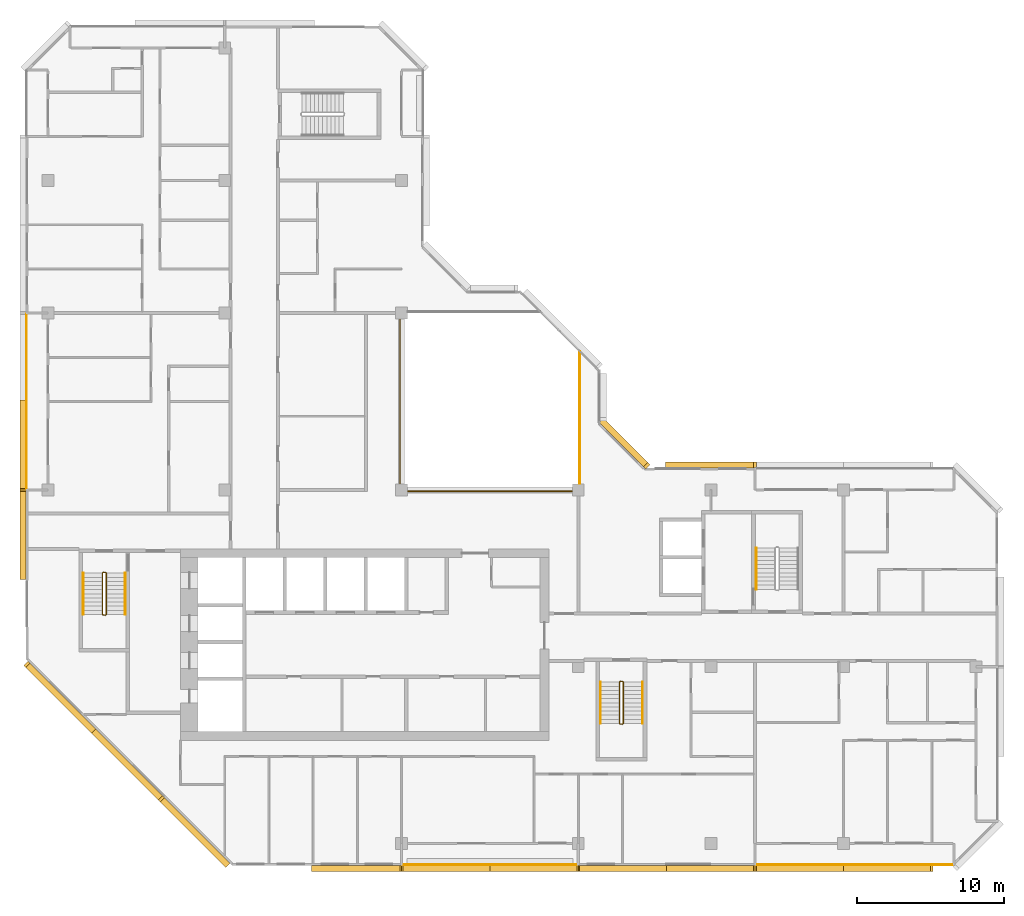
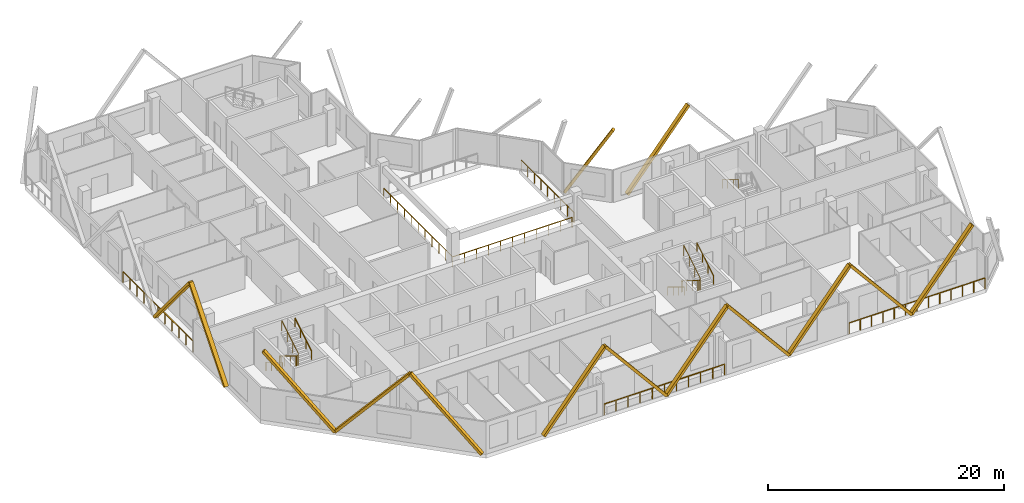
# One storey, part 12 of 13: 14 coverings, 12 railings.
"""IFC4 building model written with IfcOpenShell, lengths in metres."""

from ifc_helpers import new_model, si_unit, direction, frame, origin, origin_2d, place, context, subcontext, project, spatial, rectangle, extrude, material, material_profile, profile_set, type_object, element, save


model = new_model("IFC4")

# Units and contexts
model_context = context("Model", 3, precision=1e-05, world=origin(), true_north=direction((0.0, 1.0)))
body_context = subcontext(model_context, "Body", "Model", "MODEL_VIEW")
ifc_project = project(units=[si_unit("LENGTHUNIT", "METRE"), si_unit("AREAUNIT", "SQUARE_METRE"), si_unit("VOLUMEUNIT", "CUBIC_METRE"), si_unit("PLANEANGLEUNIT", "RADIAN"), si_unit("MASSUNIT", "GRAM", prefix="KILO")], contexts=[model_context])

# Site, building, storey
site_placement = place(None, origin())
site = spatial("IfcSite", under=ifc_project, at=site_placement, CompositionType="ELEMENT")
building_placement = place(site_placement, origin())
building = spatial("IfcBuilding", under=site, at=building_placement, Name="Chenar Terraces", CompositionType="ELEMENT")
storey_placement = place(building_placement, frame((0.0, 0.0, 273.39990234375)))
storey = spatial("IfcBuildingStorey", under=building, at=storey_placement, Name="L63", CompositionType="ELEMENT", Elevation=273.39990234375)

# Railings
ifc_material_1 = material(Name="Powder-coated steel", Category="steel")
railing_type_1 = type_object("IfcRailingType", Name="Guard 1100 steel rail with glass infill", PredefinedType="GUARDRAIL", material=ifc_material_1)
railing_1_placement = place(storey_placement, frame((23.89990234375, 35.60009765625, 0.0)))
element("IfcRailing", 1, at=railing_1_placement, inside=storey, type_object=railing_type_1, Name="Guard L63-1", PredefinedType="GUARDRAIL", context=body_context, shape_type="SweptSolid", body=[
    extrude(rectangle(XDim=0.06005859375, YDim=0.06005859375, at=origin_2d()), frame((0.0, 0.0, 1.070068359375), z_axis=(0.0, -1.0, 0.0), x_axis=(1.0, 0.0, 0.0)), (0.0, 0.0, 1.0), 11.7001953125),
    extrude(rectangle(XDim=0.06005859375, YDim=0.06005859375, at=origin_2d()), frame((0.0, -11.7001953125, 1.070068359375), z_axis=(1.0, 0.0, 0.0), x_axis=(0.0, 1.0, 0.0)), (0.0, 0.0, 1.0), 11.7001953125),
    extrude(rectangle(XDim=0.050048828125, YDim=0.050048828125, at=origin_2d()), origin(), (0.0, 0.0, 1.0), 1.0400390625),
    extrude(rectangle(XDim=0.050048828125, YDim=0.050048828125, at=origin_2d()), frame((0.0, -1.169921875, 0.0)), (0.0, 0.0, 1.0), 1.0400390625),
    extrude(rectangle(XDim=0.050048828125, YDim=0.050048828125, at=origin_2d()), frame((0.0, -2.340087890625, 0.0)), (0.0, 0.0, 1.0), 1.0400390625),
    extrude(rectangle(XDim=0.050048828125, YDim=0.050048828125, at=origin_2d()), frame((0.0, -3.510009765625, 0.0)), (0.0, 0.0, 1.0), 1.0400390625),
    extrude(rectangle(XDim=0.050048828125, YDim=0.050048828125, at=origin_2d()), frame((0.0, -4.68017578125, 0.0)), (0.0, 0.0, 1.0), 1.0400390625),
    extrude(rectangle(XDim=0.050048828125, YDim=0.050048828125, at=origin_2d()), frame((0.0, -5.85009765625, 0.0)), (0.0, 0.0, 1.0), 1.0400390625),
    extrude(rectangle(XDim=0.050048828125, YDim=0.050048828125, at=origin_2d()), frame((0.0, -7.02001953125, 0.0)), (0.0, 0.0, 1.0), 1.0400390625),
    extrude(rectangle(XDim=0.050048828125, YDim=0.050048828125, at=origin_2d()), frame((0.0, -8.190185546875, 0.0)), (0.0, 0.0, 1.0), 1.0400390625),
    extrude(rectangle(XDim=0.050048828125, YDim=0.050048828125, at=origin_2d()), frame((0.0, -9.360107421875, 0.0)), (0.0, 0.0, 1.0), 1.0400390625),
    extrude(rectangle(XDim=0.050048828125, YDim=0.050048828125, at=origin_2d()), frame((0.0, -10.5302734375, 0.0)), (0.0, 0.0, 1.0), 1.0400390625),
    extrude(rectangle(XDim=0.050048828125, YDim=0.050048828125, at=origin_2d()), frame((0.0, -11.7001953125, 0.0)), (0.0, 0.0, 1.0), 1.0400390625),
    extrude(rectangle(XDim=0.050048828125, YDim=0.050048828125, at=origin_2d()), frame((1.169921875, -11.7001953125, 0.0)), (0.0, 0.0, 1.0), 1.0400390625),
    extrude(rectangle(XDim=0.050048828125, YDim=0.050048828125, at=origin_2d()), frame((2.340087890625, -11.7001953125, 0.0)), (0.0, 0.0, 1.0), 1.0400390625),
    extrude(rectangle(XDim=0.050048828125, YDim=0.050048828125, at=origin_2d()), frame((3.510009765625, -11.7001953125, 0.0)), (0.0, 0.0, 1.0), 1.0400390625),
    extrude(rectangle(XDim=0.050048828125, YDim=0.050048828125, at=origin_2d()), frame((4.68017578125, -11.7001953125, 0.0)), (0.0, 0.0, 1.0), 1.0400390625),
    extrude(rectangle(XDim=0.050048828125, YDim=0.050048828125, at=origin_2d()), frame((5.85009765625, -11.7001953125, 0.0)), (0.0, 0.0, 1.0), 1.0400390625),
    extrude(rectangle(XDim=0.050048828125, YDim=0.050048828125, at=origin_2d()), frame((7.02001953125, -11.7001953125, 0.0)), (0.0, 0.0, 1.0), 1.0400390625),
    extrude(rectangle(XDim=0.050048828125, YDim=0.050048828125, at=origin_2d()), frame((8.190185546875, -11.7001953125, 0.0)), (0.0, 0.0, 1.0), 1.0400390625),
    extrude(rectangle(XDim=0.050048828125, YDim=0.050048828125, at=origin_2d()), frame((9.360107421875, -11.7001953125, 0.0)), (0.0, 0.0, 1.0), 1.0400390625),
    extrude(rectangle(XDim=0.050048828125, YDim=0.050048828125, at=origin_2d()), frame((10.5302734375, -11.7001953125, 0.0)), (0.0, 0.0, 1.0), 1.0400390625),
    extrude(rectangle(XDim=0.050048828125, YDim=0.050048828125, at=origin_2d()), frame((11.7001953125, -11.7001953125, 0.0)), (0.0, 0.0, 1.0), 1.0400390625),
])
railing_2_placement = place(storey_placement, frame((36.10009765625, 24.449951171875, 0.0)))
element("IfcRailing", 2, at=railing_2_placement, inside=storey, type_object=railing_type_1, Name="Guard L63-3", PredefinedType="GUARDRAIL", context=body_context, shape_type="SweptSolid", body=[
    extrude(rectangle(XDim=0.06005859375, YDim=0.06005859375, at=origin_2d()), frame((0.0, 0.0, 1.070068359375), z_axis=(0.0, 1.0, 0.0), x_axis=(-1.0, 0.0, 0.0)), (0.0, 0.0, 1.0), 8.949951171875),
    extrude(rectangle(XDim=0.050048828125, YDim=0.050048828125, at=origin_2d()), origin(), (0.0, 0.0, 1.0), 1.0400390625),
    extrude(rectangle(XDim=0.050048828125, YDim=0.050048828125, at=origin_2d()), frame((0.0, 1.11865234375, 0.0)), (0.0, 0.0, 1.0), 1.0400390625),
    extrude(rectangle(XDim=0.050048828125, YDim=0.050048828125, at=origin_2d()), frame((0.0, 2.237548828125, 0.0)), (0.0, 0.0, 1.0), 1.0400390625),
    extrude(rectangle(XDim=0.050048828125, YDim=0.050048828125, at=origin_2d()), frame((0.0, 3.356201171875, 0.0)), (0.0, 0.0, 1.0), 1.0400390625),
    extrude(rectangle(XDim=0.050048828125, YDim=0.050048828125, at=origin_2d()), frame((0.0, 4.47509765625, 0.0)), (0.0, 0.0, 1.0), 1.0400390625),
    extrude(rectangle(XDim=0.050048828125, YDim=0.050048828125, at=origin_2d()), frame((0.0, 5.59375, 0.0)), (0.0, 0.0, 1.0), 1.0400390625),
    extrude(rectangle(XDim=0.050048828125, YDim=0.050048828125, at=origin_2d()), frame((0.0, 6.71240234375, 0.0)), (0.0, 0.0, 1.0), 1.0400390625),
    extrude(rectangle(XDim=0.050048828125, YDim=0.050048828125, at=origin_2d()), frame((0.0, 7.831298828125, 0.0)), (0.0, 0.0, 1.0), 1.0400390625),
    extrude(rectangle(XDim=0.050048828125, YDim=0.050048828125, at=origin_2d()), frame((0.0, 8.949951171875, 0.0)), (0.0, 0.0, 1.0), 1.0400390625),
])
ifc_material_2 = material(Name="Stainless steel and glass", Category="steel")
railing_type_2 = type_object("IfcRailingType", Name="Loggia guard 1150", PredefinedType="GUARDRAIL", material=ifc_material_2)
railing_3_placement = place(storey_placement, frame((24.074951171875, -1.449951171875, 0.0)))
element("IfcRailing", 3, at=railing_3_placement, inside=storey, type_object=railing_type_2, Name="Loggia guard", PredefinedType="GUARDRAIL", context=body_context, shape_type="SweptSolid", body=[
    extrude(rectangle(XDim=0.048095703125, YDim=0.048095703125, at=origin_2d()), frame((0.0, 0.0, 1.1259765625), z_axis=(1.0, 0.0, 0.0), x_axis=(0.0, 1.0, 0.0)), (0.0, 0.0, 1.0), 11.85009765625),
    extrude(rectangle(XDim=0.0419921875, YDim=0.0419921875, at=origin_2d()), origin(), (0.0, 0.0, 1.0), 1.101806640625),
    extrude(rectangle(XDim=0.0419921875, YDim=0.0419921875, at=origin_2d()), frame((1.18505859375, 0.0, 0.0)), (0.0, 0.0, 1.0), 1.101806640625),
    extrude(rectangle(XDim=0.0419921875, YDim=0.0419921875, at=origin_2d()), frame((2.3701171875, 0.0, 0.0)), (0.0, 0.0, 1.0), 1.101806640625),
    extrude(rectangle(XDim=0.0419921875, YDim=0.0419921875, at=origin_2d()), frame((3.554931640625, 0.0, 0.0)), (0.0, 0.0, 1.0), 1.101806640625),
    extrude(rectangle(XDim=0.0419921875, YDim=0.0419921875, at=origin_2d()), frame((4.739990234375, 0.0, 0.0)), (0.0, 0.0, 1.0), 1.101806640625),
    extrude(rectangle(XDim=0.0419921875, YDim=0.0419921875, at=origin_2d()), frame((5.925048828125, 0.0, 0.0)), (0.0, 0.0, 1.0), 1.101806640625),
    extrude(rectangle(XDim=0.0419921875, YDim=0.0419921875, at=origin_2d()), frame((7.110107421875, 0.0, 0.0)), (0.0, 0.0, 1.0), 1.101806640625),
    extrude(rectangle(XDim=0.0419921875, YDim=0.0419921875, at=origin_2d()), frame((8.295166015625, 0.0, 0.0)), (0.0, 0.0, 1.0), 1.101806640625),
    extrude(rectangle(XDim=0.0419921875, YDim=0.0419921875, at=origin_2d()), frame((9.47998046875, 0.0, 0.0)), (0.0, 0.0, 1.0), 1.101806640625),
    extrude(rectangle(XDim=0.0419921875, YDim=0.0419921875, at=origin_2d()), frame((10.6650390625, 0.0, 0.0)), (0.0, 0.0, 1.0), 1.101806640625),
    extrude(rectangle(XDim=0.0419921875, YDim=0.0419921875, at=origin_2d()), frame((11.85009765625, 0.0, 0.0)), (0.0, 0.0, 1.0), 1.101806640625),
])
railing_4_placement = place(storey_placement, frame((48.074951171875, -1.449951171875, 0.0)))
element("IfcRailing", 4, at=railing_4_placement, inside=storey, type_object=railing_type_2, Name="Loggia guard", PredefinedType="GUARDRAIL", context=body_context, shape_type="SweptSolid", body=[
    extrude(rectangle(XDim=0.048095703125, YDim=0.048095703125, at=origin_2d()), frame((0.0, 0.0, 1.1259765625), z_axis=(1.0, 0.0, 0.0), x_axis=(0.0, 1.0, 0.0)), (0.0, 0.0, 1.0), 13.35009765625),
    extrude(rectangle(XDim=0.0419921875, YDim=0.0419921875, at=origin_2d()), origin(), (0.0, 0.0, 1.0), 1.101806640625),
    extrude(rectangle(XDim=0.0419921875, YDim=0.0419921875, at=origin_2d()), frame((1.112548828125, 0.0, 0.0)), (0.0, 0.0, 1.0), 1.101806640625),
    extrude(rectangle(XDim=0.0419921875, YDim=0.0419921875, at=origin_2d()), frame((2.22509765625, 0.0, 0.0)), (0.0, 0.0, 1.0), 1.101806640625),
    extrude(rectangle(XDim=0.0419921875, YDim=0.0419921875, at=origin_2d()), frame((3.33740234375, 0.0, 0.0)), (0.0, 0.0, 1.0), 1.101806640625),
    extrude(rectangle(XDim=0.0419921875, YDim=0.0419921875, at=origin_2d()), frame((4.449951171875, 0.0, 0.0)), (0.0, 0.0, 1.0), 1.101806640625),
    extrude(rectangle(XDim=0.0419921875, YDim=0.0419921875, at=origin_2d()), frame((5.5625, 0.0, 0.0)), (0.0, 0.0, 1.0), 1.101806640625),
    extrude(rectangle(XDim=0.0419921875, YDim=0.0419921875, at=origin_2d()), frame((6.675048828125, 0.0, 0.0)), (0.0, 0.0, 1.0), 1.101806640625),
    extrude(rectangle(XDim=0.0419921875, YDim=0.0419921875, at=origin_2d()), frame((7.78759765625, 0.0, 0.0)), (0.0, 0.0, 1.0), 1.101806640625),
    extrude(rectangle(XDim=0.0419921875, YDim=0.0419921875, at=origin_2d()), frame((8.900146484375, 0.0, 0.0)), (0.0, 0.0, 1.0), 1.101806640625),
    extrude(rectangle(XDim=0.0419921875, YDim=0.0419921875, at=origin_2d()), frame((10.0126953125, 0.0, 0.0)), (0.0, 0.0, 1.0), 1.101806640625),
    extrude(rectangle(XDim=0.0419921875, YDim=0.0419921875, at=origin_2d()), frame((11.125, 0.0, 0.0)), (0.0, 0.0, 1.0), 1.101806640625),
    extrude(rectangle(XDim=0.0419921875, YDim=0.0419921875, at=origin_2d()), frame((12.237548828125, 0.0, 0.0)), (0.0, 0.0, 1.0), 1.101806640625),
    extrude(rectangle(XDim=0.0419921875, YDim=0.0419921875, at=origin_2d()), frame((13.35009765625, 0.0, 0.0)), (0.0, 0.0, 1.0), 1.101806640625),
])
railing_5_placement = place(storey_placement, frame((-1.449951171875, 35.925048828125, 0.0)))
element("IfcRailing", 5, at=railing_5_placement, inside=storey, type_object=railing_type_2, Name="Loggia guard", PredefinedType="GUARDRAIL", context=body_context, shape_type="SweptSolid", body=[
    extrude(rectangle(XDim=0.048095703125, YDim=0.048095703125, at=origin_2d()), frame((0.0, 0.0, 1.1259765625), z_axis=(0.0, -1.0, 0.0), x_axis=(1.0, 0.0, 0.0)), (0.0, 0.0, 1.0), 11.85009765625),
    extrude(rectangle(XDim=0.0419921875, YDim=0.0419921875, at=origin_2d()), origin(), (0.0, 0.0, 1.0), 1.101806640625),
    extrude(rectangle(XDim=0.0419921875, YDim=0.0419921875, at=origin_2d()), frame((0.0, -1.18505859375, 0.0)), (0.0, 0.0, 1.0), 1.101806640625),
    extrude(rectangle(XDim=0.0419921875, YDim=0.0419921875, at=origin_2d()), frame((0.0, -2.3701171875, 0.0)), (0.0, 0.0, 1.0), 1.101806640625),
    extrude(rectangle(XDim=0.0419921875, YDim=0.0419921875, at=origin_2d()), frame((0.0, -3.554931640625, 0.0)), (0.0, 0.0, 1.0), 1.101806640625),
    extrude(rectangle(XDim=0.0419921875, YDim=0.0419921875, at=origin_2d()), frame((0.0, -4.739990234375, 0.0)), (0.0, 0.0, 1.0), 1.101806640625),
    extrude(rectangle(XDim=0.0419921875, YDim=0.0419921875, at=origin_2d()), frame((0.0, -5.925048828125, 0.0)), (0.0, 0.0, 1.0), 1.101806640625),
    extrude(rectangle(XDim=0.0419921875, YDim=0.0419921875, at=origin_2d()), frame((0.0, -7.110107421875, 0.0)), (0.0, 0.0, 1.0), 1.101806640625),
    extrude(rectangle(XDim=0.0419921875, YDim=0.0419921875, at=origin_2d()), frame((0.0, -8.295166015625, 0.0)), (0.0, 0.0, 1.0), 1.101806640625),
    extrude(rectangle(XDim=0.0419921875, YDim=0.0419921875, at=origin_2d()), frame((0.0, -9.47998046875, 0.0)), (0.0, 0.0, 1.0), 1.101806640625),
    extrude(rectangle(XDim=0.0419921875, YDim=0.0419921875, at=origin_2d()), frame((0.0, -10.6650390625, 0.0)), (0.0, 0.0, 1.0), 1.101806640625),
    extrude(rectangle(XDim=0.0419921875, YDim=0.0419921875, at=origin_2d()), frame((0.0, -11.85009765625, 0.0)), (0.0, 0.0, 1.0), 1.101806640625),
])
ifc_material_3 = material(Name="Powder-coated steel", Category="steel")
railing_type_3 = type_object("IfcRailingType", Name="Stair guard 1100", PredefinedType="GUARDRAIL", material=ifc_material_3)
railing_6_placement = place(storey_placement, frame((3.949951171875, 18.35009765625, 3.75)))
element("IfcRailing", 6, at=railing_6_placement, inside=storey, type_object=railing_type_3, Name="L63 ST1 stair guard 1", PredefinedType="GUARDRAIL", context=body_context, shape_type="SweptSolid", body=[
    extrude(rectangle(XDim=0.048095703125, YDim=0.048095703125, at=origin_2d()), frame((0.0, 0.0, 1.076171875), z_axis=(0.0, -0.854202870247, -0.519939858505), x_axis=(1.0, 0.0, 0.0)), (0.0, 0.0, 1.0), 3.278076171875),
    extrude(rectangle(XDim=0.048095703125, YDim=0.048095703125, at=origin_2d()), frame((0.0, -2.800048828125, -0.62841796875), z_axis=(-0.270899902878, -0.270899902878, -0.923702595667), x_axis=(0.707106781187, -0.707106781187, 0.0)), (0.0, 0.0, 1.0), 0.184814453125),
    extrude(rectangle(XDim=0.048095703125, YDim=0.048095703125, at=origin_2d()), frame((-0.050048828125, -2.85009765625, -0.798828125), z_axis=(-1.0, 0.0, 0.0), x_axis=(0.0, -1.0, 0.0)), (0.0, 0.0, 1.0), 0.14990234375),
    extrude(rectangle(XDim=0.048095703125, YDim=0.048095703125, at=origin_2d()), frame((-0.199951171875, -2.85009765625, -0.798828125), z_axis=(-0.707106781187, 0.707106781187, 0.0), x_axis=(-0.707106781187, -0.707106781187, 0.0)), (0.0, 0.0, 1.0), 0.07080078125),
    extrude(rectangle(XDim=0.048095703125, YDim=0.048095703125, at=origin_2d()), frame((-0.25, -2.800048828125, -0.798828125), z_axis=(0.0, 0.854202870247, -0.519939858505), x_axis=(-1.0, 0.0, 0.0)), (0.0, 0.0, 1.0), 3.278076171875),
    extrude(rectangle(XDim=0.048095703125, YDim=0.048095703125, at=origin_2d()), frame((-0.25, 0.0, -2.50341796875), z_axis=(0.270996696079, 0.269674760976, -0.924032636873), x_axis=(-0.705375805398, 0.708833529934, 0.0)), (0.0, 0.0, 1.0), 0.1845703125),
    extrude(rectangle(XDim=0.048095703125, YDim=0.048095703125, at=origin_2d()), frame((-0.199951171875, 0.0498046875, -2.673828125), z_axis=(1.0, 0.0, 0.0), x_axis=(0.0, 1.0, 0.0)), (0.0, 0.0, 1.0), 0.14990234375),
    extrude(rectangle(XDim=0.0419921875, YDim=0.0419921875, at=origin_2d()), origin(), (0.0, 0.0, 1.0), 1.052001953125),
    extrude(rectangle(XDim=0.0419921875, YDim=0.0419921875, at=origin_2d()), frame((0.0, -0.933349609375, -0.568115234375)), (0.0, 0.0, 1.0), 1.052001953125),
    extrude(rectangle(XDim=0.0419921875, YDim=0.0419921875, at=origin_2d()), frame((0.0, -1.86669921875, -1.13623046875)), (0.0, 0.0, 1.0), 1.052001953125),
    extrude(rectangle(XDim=0.0419921875, YDim=0.0419921875, at=origin_2d()), frame((0.0, -2.800048828125, -1.704345703125)), (0.0, 0.0, 1.0), 1.052001953125),
    extrude(rectangle(XDim=0.0419921875, YDim=0.0419921875, at=origin_2d()), frame((-0.050048828125, -2.85009765625, -1.875)), (0.0, 0.0, 1.0), 1.052001953125),
    extrude(rectangle(XDim=0.0419921875, YDim=0.0419921875, at=origin_2d()), frame((-0.199951171875, -2.85009765625, -1.875)), (0.0, 0.0, 1.0), 1.052001953125),
    extrude(rectangle(XDim=0.0419921875, YDim=0.0419921875, at=origin_2d()), frame((-0.25, -2.800048828125, -1.875)), (0.0, 0.0, 1.0), 1.052001953125),
    extrude(rectangle(XDim=0.0419921875, YDim=0.0419921875, at=origin_2d()), frame((-0.25, -1.86669921875, -2.443115234375)), (0.0, 0.0, 1.0), 1.052001953125),
    extrude(rectangle(XDim=0.0419921875, YDim=0.0419921875, at=origin_2d()), frame((-0.25, -0.933349609375, -3.01123046875)), (0.0, 0.0, 1.0), 1.052001953125),
    extrude(rectangle(XDim=0.0419921875, YDim=0.0419921875, at=origin_2d()), frame((-0.25, 0.0, -3.579345703125)), (0.0, 0.0, 1.0), 1.052001953125),
    extrude(rectangle(XDim=0.0419921875, YDim=0.0419921875, at=origin_2d()), frame((-0.199951171875, 0.0498046875, -3.75)), (0.0, 0.0, 1.0), 1.052001953125),
    extrude(rectangle(XDim=0.0419921875, YDim=0.0419921875, at=origin_2d()), frame((-0.050048828125, 0.0498046875, -3.75)), (0.0, 0.0, 1.0), 1.052001953125),
])
railing_7_placement = place(storey_placement, frame((39.050048828125, 10.949951171875, 3.75)))
element("IfcRailing", 7, at=railing_7_placement, inside=storey, type_object=railing_type_3, Name="L63 ST2 stair guard 1", PredefinedType="GUARDRAIL", context=body_context, shape_type="SweptSolid", body=[
    extrude(rectangle(XDim=0.048095703125, YDim=0.048095703125, at=origin_2d()), frame((0.0, 0.0, 1.076171875), z_axis=(0.0, -0.854202870247, -0.519939858505), x_axis=(1.0, 0.0, 0.0)), (0.0, 0.0, 1.0), 3.278076171875),
    extrude(rectangle(XDim=0.048095703125, YDim=0.048095703125, at=origin_2d()), frame((0.0, -2.800048828125, -0.62841796875), z_axis=(-0.270996696079, -0.269674760976, -0.924032636873), x_axis=(0.705375805398, -0.708833529934, 0.0)), (0.0, 0.0, 1.0), 0.1845703125),
    extrude(rectangle(XDim=0.048095703125, YDim=0.048095703125, at=origin_2d()), frame((-0.050048828125, -2.849853515625, -0.798828125), z_axis=(-1.0, 0.0, 0.0), x_axis=(0.0, -1.0, 0.0)), (0.0, 0.0, 1.0), 0.14990234375),
    extrude(rectangle(XDim=0.048095703125, YDim=0.048095703125, at=origin_2d()), frame((-0.199951171875, -2.849853515625, -0.798828125), z_axis=(-0.708833529934, 0.705375805398, 0.0), x_axis=(-0.705375805398, -0.708833529934, 0.0)), (0.0, 0.0, 1.0), 0.070556640625),
    extrude(rectangle(XDim=0.048095703125, YDim=0.048095703125, at=origin_2d()), frame((-0.25, -2.800048828125, -0.798828125), z_axis=(0.0, 0.854202870247, -0.519939858505), x_axis=(-1.0, 0.0, 0.0)), (0.0, 0.0, 1.0), 3.278076171875),
    extrude(rectangle(XDim=0.048095703125, YDim=0.048095703125, at=origin_2d()), frame((-0.25, 0.0, -2.50341796875), z_axis=(0.270899902878, 0.270899902878, -0.923702595667), x_axis=(-0.707106781187, 0.707106781187, 0.0)), (0.0, 0.0, 1.0), 0.184814453125),
    extrude(rectangle(XDim=0.048095703125, YDim=0.048095703125, at=origin_2d()), frame((-0.199951171875, 0.050048828125, -2.673828125), z_axis=(1.0, 0.0, 0.0), x_axis=(0.0, 1.0, 0.0)), (0.0, 0.0, 1.0), 0.14990234375),
    extrude(rectangle(XDim=0.0419921875, YDim=0.0419921875, at=origin_2d()), origin(), (0.0, 0.0, 1.0), 1.052001953125),
    extrude(rectangle(XDim=0.0419921875, YDim=0.0419921875, at=origin_2d()), frame((0.0, -0.933349609375, -0.568115234375)), (0.0, 0.0, 1.0), 1.052001953125),
    extrude(rectangle(XDim=0.0419921875, YDim=0.0419921875, at=origin_2d()), frame((0.0, -1.86669921875, -1.13623046875)), (0.0, 0.0, 1.0), 1.052001953125),
    extrude(rectangle(XDim=0.0419921875, YDim=0.0419921875, at=origin_2d()), frame((0.0, -2.800048828125, -1.704345703125)), (0.0, 0.0, 1.0), 1.052001953125),
    extrude(rectangle(XDim=0.0419921875, YDim=0.0419921875, at=origin_2d()), frame((-0.050048828125, -2.849853515625, -1.875)), (0.0, 0.0, 1.0), 1.052001953125),
    extrude(rectangle(XDim=0.0419921875, YDim=0.0419921875, at=origin_2d()), frame((-0.199951171875, -2.849853515625, -1.875)), (0.0, 0.0, 1.0), 1.052001953125),
    extrude(rectangle(XDim=0.0419921875, YDim=0.0419921875, at=origin_2d()), frame((-0.25, -2.800048828125, -1.875)), (0.0, 0.0, 1.0), 1.052001953125),
    extrude(rectangle(XDim=0.0419921875, YDim=0.0419921875, at=origin_2d()), frame((-0.25, -1.86669921875, -2.443115234375)), (0.0, 0.0, 1.0), 1.052001953125),
    extrude(rectangle(XDim=0.0419921875, YDim=0.0419921875, at=origin_2d()), frame((-0.25, -0.933349609375, -3.01123046875)), (0.0, 0.0, 1.0), 1.052001953125),
    extrude(rectangle(XDim=0.0419921875, YDim=0.0419921875, at=origin_2d()), frame((-0.25, 0.0, -3.579345703125)), (0.0, 0.0, 1.0), 1.052001953125),
    extrude(rectangle(XDim=0.0419921875, YDim=0.0419921875, at=origin_2d()), frame((-0.199951171875, 0.050048828125, -3.75)), (0.0, 0.0, 1.0), 1.052001953125),
    extrude(rectangle(XDim=0.0419921875, YDim=0.0419921875, at=origin_2d()), frame((-0.050048828125, 0.050048828125, -3.75)), (0.0, 0.0, 1.0), 1.052001953125),
])
ifc_material_4 = material(Name="Powder-coated steel", Category="steel")
railing_type_4 = type_object("IfcRailingType", Name="Stair handrail 900", PredefinedType="HANDRAIL", material=ifc_material_4)
railing_8_placement = place(storey_placement, frame((2.39990234375, 18.35009765625, 0.170654296875)))
element("IfcRailing", 8, at=railing_8_placement, inside=storey, type_object=railing_type_4, Name="L63 ST1 stair handrail 1", PredefinedType="HANDRAIL", context=body_context, shape_type="SweptSolid", body=[
    extrude(rectangle(XDim=0.048095703125, YDim=0.048095703125, at=origin_2d()), frame((0.0, 0.0, 0.8759765625), z_axis=(0.0, -0.854202870247, 0.519939858505), x_axis=(1.0, 0.0, 0.0)), (0.0, 0.0, 1.0), 3.278076171875),
    extrude(rectangle(XDim=0.0419921875, YDim=0.0419921875, at=origin_2d()), origin(), (0.0, 0.0, 1.0), 0.851806640625),
    extrude(rectangle(XDim=0.0419921875, YDim=0.0419921875, at=origin_2d()), frame((0.0, -0.933349609375, 0.568115234375)), (0.0, 0.0, 1.0), 0.851806640625),
    extrude(rectangle(XDim=0.0419921875, YDim=0.0419921875, at=origin_2d()), frame((0.0, -1.86669921875, 1.13623046875)), (0.0, 0.0, 1.0), 0.851806640625),
    extrude(rectangle(XDim=0.0419921875, YDim=0.0419921875, at=origin_2d()), frame((0.0, -2.800048828125, 1.704345703125)), (0.0, 0.0, 1.0), 0.851806640625),
])
railing_9_placement = place(storey_placement, frame((5.25, 15.550048828125, 2.045654296875)))
element("IfcRailing", 9, at=railing_9_placement, inside=storey, type_object=railing_type_4, Name="L63 ST1 stair handrail 2", PredefinedType="HANDRAIL", context=body_context, shape_type="SweptSolid", body=[
    extrude(rectangle(XDim=0.048095703125, YDim=0.048095703125, at=origin_2d()), frame((0.0, 0.0, 0.8759765625), z_axis=(0.0, 0.854202870247, 0.519939858505), x_axis=(-1.0, 0.0, 0.0)), (0.0, 0.0, 1.0), 3.278076171875),
    extrude(rectangle(XDim=0.0419921875, YDim=0.0419921875, at=origin_2d()), origin(), (0.0, 0.0, 1.0), 0.851806640625),
    extrude(rectangle(XDim=0.0419921875, YDim=0.0419921875, at=origin_2d()), frame((0.0, 0.933349609375, 0.568115234375)), (0.0, 0.0, 1.0), 0.851806640625),
    extrude(rectangle(XDim=0.0419921875, YDim=0.0419921875, at=origin_2d()), frame((0.0, 1.86669921875, 1.13623046875)), (0.0, 0.0, 1.0), 0.851806640625),
    extrude(rectangle(XDim=0.0419921875, YDim=0.0419921875, at=origin_2d()), frame((0.0, 2.800048828125, 1.704345703125)), (0.0, 0.0, 1.0), 0.851806640625),
])
railing_10_placement = place(storey_placement, frame((37.5, 10.949951171875, 0.170654296875)))
element("IfcRailing", 10, at=railing_10_placement, inside=storey, type_object=railing_type_4, Name="L63 ST2 stair handrail 1", PredefinedType="HANDRAIL", context=body_context, shape_type="SweptSolid", body=[
    extrude(rectangle(XDim=0.048095703125, YDim=0.048095703125, at=origin_2d()), frame((0.0, 0.0, 0.8759765625), z_axis=(0.0, -0.854202870247, 0.519939858505), x_axis=(1.0, 0.0, 0.0)), (0.0, 0.0, 1.0), 3.278076171875),
    extrude(rectangle(XDim=0.0419921875, YDim=0.0419921875, at=origin_2d()), origin(), (0.0, 0.0, 1.0), 0.851806640625),
    extrude(rectangle(XDim=0.0419921875, YDim=0.0419921875, at=origin_2d()), frame((0.0, -0.933349609375, 0.568115234375)), (0.0, 0.0, 1.0), 0.851806640625),
    extrude(rectangle(XDim=0.0419921875, YDim=0.0419921875, at=origin_2d()), frame((0.0, -1.86669921875, 1.13623046875)), (0.0, 0.0, 1.0), 0.851806640625),
    extrude(rectangle(XDim=0.0419921875, YDim=0.0419921875, at=origin_2d()), frame((0.0, -2.800048828125, 1.704345703125)), (0.0, 0.0, 1.0), 0.851806640625),
])
railing_11_placement = place(storey_placement, frame((40.35009765625, 8.14990234375, 2.045654296875)))
element("IfcRailing", 11, at=railing_11_placement, inside=storey, type_object=railing_type_4, Name="L63 ST2 stair handrail 2", PredefinedType="HANDRAIL", context=body_context, shape_type="SweptSolid", body=[
    extrude(rectangle(XDim=0.048095703125, YDim=0.048095703125, at=origin_2d()), frame((0.0, 0.0, 0.8759765625), z_axis=(0.0, 0.854202870247, 0.519939858505), x_axis=(-1.0, 0.0, 0.0)), (0.0, 0.0, 1.0), 3.278076171875),
    extrude(rectangle(XDim=0.0419921875, YDim=0.0419921875, at=origin_2d()), origin(), (0.0, 0.0, 1.0), 0.851806640625),
    extrude(rectangle(XDim=0.0419921875, YDim=0.0419921875, at=origin_2d()), frame((0.0, 0.933349609375, 0.568115234375)), (0.0, 0.0, 1.0), 0.851806640625),
    extrude(rectangle(XDim=0.0419921875, YDim=0.0419921875, at=origin_2d()), frame((0.0, 1.86669921875, 1.13623046875)), (0.0, 0.0, 1.0), 0.851806640625),
    extrude(rectangle(XDim=0.0419921875, YDim=0.0419921875, at=origin_2d()), frame((0.0, 2.800048828125, 1.704345703125)), (0.0, 0.0, 1.0), 0.851806640625),
])
railing_12_placement = place(storey_placement, frame((48.074951171875, 20.050048828125, 2.045654296875)))
element("IfcRailing", 12, at=railing_12_placement, inside=storey, type_object=railing_type_4, Name="L63 ST3 stair handrail 2", PredefinedType="HANDRAIL", context=body_context, shape_type="SweptSolid", body=[
    extrude(rectangle(XDim=0.048095703125, YDim=0.048095703125, at=origin_2d()), frame((0.0, 0.0, 0.8759765625), z_axis=(0.0, -0.854202870247, 0.519939858505), x_axis=(1.0, 0.0, 0.0)), (0.0, 0.0, 1.0), 3.278076171875),
    extrude(rectangle(XDim=0.0419921875, YDim=0.0419921875, at=origin_2d()), origin(), (0.0, 0.0, 1.0), 0.851806640625),
    extrude(rectangle(XDim=0.0419921875, YDim=0.0419921875, at=origin_2d()), frame((0.0, -0.933349609375, 0.568115234375)), (0.0, 0.0, 1.0), 0.851806640625),
    extrude(rectangle(XDim=0.0419921875, YDim=0.0419921875, at=origin_2d()), frame((0.0, -1.86669921875, 1.13623046875)), (0.0, 0.0, 1.0), 0.851806640625),
    extrude(rectangle(XDim=0.0419921875, YDim=0.0419921875, at=origin_2d()), frame((0.0, -2.800048828125, 1.704345703125)), (0.0, 0.0, 1.0), 0.851806640625),
])

# Coverings
ifc_material_5 = material(Name="Terracotta", Category="masonry")
ifc_material_profile = material_profile(ifc_material_5, rectangle(XDim=0.39990234375, YDim=0.25, at=origin_2d()), Name="Terracotta baguette 400 x 250")
ifc_profile_set = profile_set([ifc_material_profile], Name="Terracotta")
covering_type = type_object("IfcCoveringType", Name="Terracotta baguette 400 x 250", PredefinedType="CLADDING", material=ifc_profile_set)
covering_1_placement = place(storey_placement, frame((48.0, 25.699951171875, 7.35009765625), z_axis=(-0.640186961885, 0.0, -0.768219144407), x_axis=(0.0, -1.0, 0.0)))
element("IfcCovering", 13, at=covering_1_placement, inside=storey, type_object=covering_type, Name="Terracotta baguette", PredefinedType="CLADDING", context=body_context, shape_type="SweptSolid", body=[
    extrude(rectangle(XDim=0.39990234375, YDim=0.25, at=origin_2d()), origin(), (0.0, 0.0, 1.0), 9.372314453125),
])
covering_2_placement = place(storey_placement, frame((40.641357421875, 25.641357421875, 7.35009765625), z_axis=(-0.358980886355, 0.358980886355, -0.861548284464), x_axis=(-0.707106781187, -0.707106781187, 0.0)))
element("IfcCovering", 14, at=covering_2_placement, inside=storey, type_object=covering_type, Name="Terracotta baguette", PredefinedType="CLADDING", context=body_context, shape_type="SweptSolid", body=[
    extrude(rectangle(XDim=0.39990234375, YDim=0.25, at=origin_2d()), origin(), (0.0, 0.0, 1.0), 8.35693359375),
])
for number, where, z_axis, x_axis, name in (
    (15, (-1.699951171875, 30.0, 0.150146484375), (0.0, -0.640186961885, 0.768219144407), (1.0, 0.0, 0.0), "Terracotta baguette"),
    (16, (-1.699951171875, 24.0, 7.35009765625), (0.0, -0.640186961885, -0.768219144407), (1.0, 0.0, 0.0), "Terracotta baguette"),
):
    element("IfcCovering", number, at=place(storey_placement, frame(where, z_axis=z_axis, x_axis=x_axis)), inside=storey, type_object=covering_type, Name=name, PredefinedType="CLADDING", context=body_context, shape_type="SweptSolid", body=[
        extrude(rectangle(XDim=0.39990234375, YDim=0.25, at=origin_2d()), origin(), (0.0, 0.0, 1.0), 9.372314453125),
    ])
covering_3_placement = place(storey_placement, frame((-1.42919921875, 12.146484375, 7.35009765625), z_axis=(0.465604048687, -0.46562956823, -0.752596821038), x_axis=(0.707126158488, 0.707087403354, 0.0)))
element("IfcCovering", 17, at=covering_3_placement, inside=storey, type_object=covering_type, Name="Terracotta baguette", PredefinedType="CLADDING", context=body_context, shape_type="SweptSolid", body=[
    extrude(rectangle(XDim=0.39990234375, YDim=0.25, at=origin_2d()), origin(), (0.0, 0.0, 1.0), 9.56689453125),
])
covering_4_placement = place(storey_placement, frame((3.025146484375, 7.69189453125, 0.150146484375), z_axis=(0.477802509271, -0.477802509271, 0.73716315987), x_axis=(0.707106781187, 0.707106781187, 0.0)))
element("IfcCovering", 18, at=covering_4_placement, inside=storey, type_object=covering_type, Name="Terracotta baguette", PredefinedType="CLADDING", context=body_context, shape_type="SweptSolid", body=[
    extrude(rectangle(XDim=0.39990234375, YDim=0.25, at=origin_2d()), origin(), (0.0, 0.0, 1.0), 9.76708984375),
])
covering_5_placement = place(storey_placement, frame((7.69189453125, 3.025146484375, 7.35009765625), z_axis=(0.46562956823, -0.465604048687, -0.752596821038), x_axis=(0.707087403354, 0.707126158488, 0.0)))
element("IfcCovering", 19, at=covering_5_placement, inside=storey, type_object=covering_type, Name="Terracotta baguette", PredefinedType="CLADDING", context=body_context, shape_type="SweptSolid", body=[
    extrude(rectangle(XDim=0.39990234375, YDim=0.25, at=origin_2d()), origin(), (0.0, 0.0, 1.0), 9.56689453125),
])
for number, where, z_axis, x_axis, name in (
    (20, (18.0, -1.699951171875, 0.150146484375), (0.640186961885, 0.0, 0.768219144407), (0.0, 1.0, 0.0), "Terracotta baguette"),
    (21, (24.0, -1.699951171875, 7.35009765625), (0.640186961885, 0.0, -0.768219144407), (0.0, 1.0, 0.0), "Terracotta baguette"),
    (22, (30.0, -1.699951171875, 0.150146484375), (0.640186961885, 0.0, 0.768219144407), (0.0, 1.0, 0.0), "Terracotta baguette"),
    (23, (36.0, -1.699951171875, 7.35009765625), (0.640186961885, 0.0, -0.768219144407), (0.0, 1.0, 0.0), "Terracotta baguette"),
    (24, (42.0, -1.699951171875, 0.150146484375), (0.640186961885, 0.0, 0.768219144407), (0.0, 1.0, 0.0), "Terracotta baguette"),
    (25, (48.0, -1.699951171875, 7.35009765625), (0.640186961885, 0.0, -0.768219144407), (0.0, 1.0, 0.0), "Terracotta baguette"),
    (26, (54.0, -1.699951171875, 0.150146484375), (0.640186961885, 0.0, 0.768219144407), (0.0, 1.0, 0.0), "Terracotta baguette"),
):
    element("IfcCovering", number, at=place(storey_placement, frame(where, z_axis=z_axis, x_axis=x_axis)), inside=storey, type_object=covering_type, Name=name, PredefinedType="CLADDING", context=body_context, shape_type="SweptSolid", body=[
        extrude(rectangle(XDim=0.39990234375, YDim=0.25, at=origin_2d()), origin(), (0.0, 0.0, 1.0), 9.372314453125),
    ])

save(model, "model.ifc")
